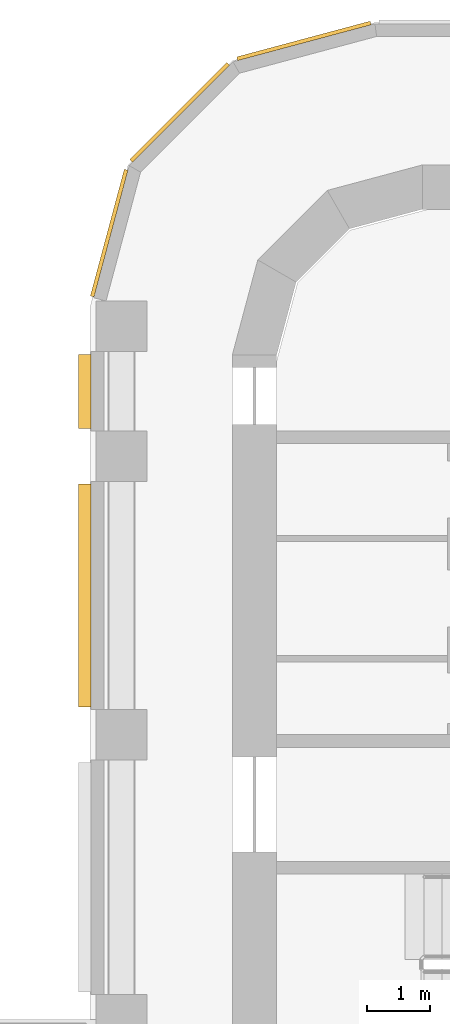
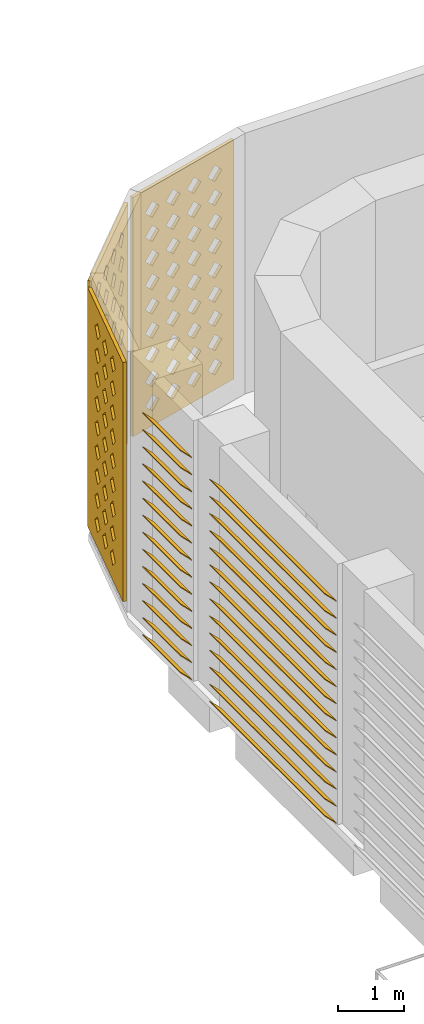
# One storey, part 17 of 21: 3 coverings, 2 shading devices.
"""IFC4 building model written with IfcOpenShell, lengths in metres."""

import ifcopenshell
import ifcopenshell.guid

model = None  # the IFC model being written
_history = None  # IfcOwnerHistory: only IFC2X3 demands one
_inside = {}  # id of a spatial element -> (the spatial element, [elements in it])
_under = {}  # id of a project, library or spatial element -> (it, [spatial elements below it])
_declared = {}  # id of a project -> (the project, [libraries it declares])
_typed = {}  # id of a type object -> (the type object, [elements of that type])
_made_of = {}  # id of a material, layer set ... -> (it, [elements and type objects made of it])


def new_model(schema):
    """Start an empty IFC model of exactly this schema.

    Asked for "IFC4X3", IfcOpenShell would pick the latest addendum, in which some entities
    have other attributes; the version numbers below select the first issue.
    IFC2X3 requires an IfcOwnerHistory on every rooted entity: one is made here for all.
    """
    global model, _history
    if schema == "IFC4X3":
        model = ifcopenshell.file(schema_version=(4, 3, 0, 0))
    else:
        model = ifcopenshell.file(schema=schema)
    _inside.clear()
    _under.clear()
    _declared.clear()
    _typed.clear()
    _made_of.clear()
    _history = None
    if model.schema == "IFC2X3":
        org = make("IfcOrganization", Name="unknown")
        user = make(
            "IfcPersonAndOrganization",
            ThePerson=make("IfcPerson", FamilyName="unknown"),
            TheOrganization=org,
        )
        app = make(
            "IfcApplication",
            ApplicationDeveloper=org,
            Version="unknown",
            ApplicationFullName="unknown",
            ApplicationIdentifier="unknown",
        )
        _history = make(
            "IfcOwnerHistory",
            OwningUser=user,
            OwningApplication=app,
            ChangeAction="ADDED",
            CreationDate=0,
        )
    return model


def make(cls, **values):
    """One entity of the class cls with the attributes given. An attribute that is None is left unset."""
    return model.create_entity(
        cls, **{name: value for name, value in values.items() if value is not None}
    )


def rooted(cls, **values):
    """An entity with a GlobalId (a new one), such as an element, a storey or a relation."""
    return make(cls, GlobalId=ifcopenshell.guid.new(), OwnerHistory=_history, **values)


def si_unit(unit_type, name, prefix=None):
    """IfcSIUnit, for example si_unit("LENGTHUNIT", "METRE", prefix="MILLI")."""
    return make("IfcSIUnit", UnitType=unit_type, Prefix=prefix, Name=name)


def assignment(units):
    """IfcUnitAssignment: the units of a project."""
    return None if units is None else make("IfcUnitAssignment", Units=units)


def point(xyz):
    """IfcCartesianPoint."""
    return None if xyz is None else make("IfcCartesianPoint", Coordinates=xyz)


def direction(xyz):
    """IfcDirection."""
    return None if xyz is None else make("IfcDirection", DirectionRatios=xyz)


def frame(location, z_axis=None, x_axis=None):
    """IfcAxis2Placement3D, a coordinate frame: its origin and axes. An axis left out is left unset."""
    return make(
        "IfcAxis2Placement3D",
        Location=point(location),
        Axis=direction(z_axis),
        RefDirection=direction(x_axis),
    )


def origin():
    """The frame at (0, 0, 0) with its axes left unset."""
    return frame((0.0, 0.0, 0.0))


def place(relative_to, where):
    """IfcLocalPlacement: puts the frame where relative to a parent placement (None: the world)."""
    return make(
        "IfcLocalPlacement", PlacementRelTo=relative_to, RelativePlacement=where
    )


def context(
    kind, dimensions, precision=None, world=None, true_north=None, identifier=None
):
    """IfcGeometricRepresentationContext, for example the 3D "Model" context."""
    return make(
        "IfcGeometricRepresentationContext",
        ContextIdentifier=identifier,
        ContextType=kind,
        CoordinateSpaceDimension=dimensions,
        Precision=precision,
        WorldCoordinateSystem=world,
        TrueNorth=true_north,
    )


def subcontext(parent, identifier, kind, view, scale=None):
    """IfcGeometricRepresentationSubContext, for example "Body" below "Model"."""
    return make(
        "IfcGeometricRepresentationSubContext",
        ContextIdentifier=identifier,
        ContextType=kind,
        ParentContext=parent,
        TargetScale=scale,
        TargetView=view,
    )


def project(units=None, contexts=None):
    """IfcProject with its units and contexts."""
    return rooted(
        "IfcProject",
        Name="project",
        RepresentationContexts=contexts,
        UnitsInContext=assignment(units),
    )


def spatial(cls, under=None, at=None, **own):
    """A site, building, storey or space (cls), placed at a placement, below another one or the project."""
    s = rooted(cls, ObjectPlacement=at, **own)
    if under is not None:
        _under.setdefault(under.id(), (under, []))[1].append(s)
    return s


def polyline(points):
    """IfcPolyline through the points."""
    return make("IfcPolyline", Points=[point(p) for p in points])


def outline(outer, holes=None, kind="AREA"):
    """IfcArbitraryClosedProfileDef: a profile drawn as a closed curve; with holes, ...WithVoids."""
    if holes is None:
        return make("IfcArbitraryClosedProfileDef", ProfileType=kind, OuterCurve=outer)
    return make(
        "IfcArbitraryProfileDefWithVoids",
        ProfileType=kind,
        OuterCurve=outer,
        InnerCurves=holes,
    )


def extrude(swept, where, along, depth):
    """IfcExtrudedAreaSolid: the profile swept, set in the frame where, extruded along a direction by depth."""
    return make(
        "IfcExtrudedAreaSolid",
        SweptArea=swept,
        Position=where,
        ExtrudedDirection=direction(along),
        Depth=depth,
    )


def shape(context_of_items, identifier, shape_type, items):
    """IfcShapeRepresentation: the items that make up one representation, for example the "Body"."""
    return make(
        "IfcShapeRepresentation",
        ContextOfItems=context_of_items,
        RepresentationIdentifier=identifier,
        RepresentationType=shape_type,
        Items=items,
    )


def source(mapping_origin, context_of_items, identifier, shape_type, items):
    """IfcRepresentationMap: a shape defined once, which mapped items show again and again."""
    return make(
        "IfcRepresentationMap",
        MappingOrigin=mapping_origin,
        MappedRepresentation=shape(context_of_items, identifier, shape_type, items),
    )


def transform(
    local_origin,
    x_axis=None,
    y_axis=None,
    z_axis=None,
    scale=None,
    scale2=None,
    scale3=None,
    uniform=True,
):
    """IfcCartesianTransformationOperator3D, or its non-uniform kind. x_axis, y_axis, z_axis: its Axis1, 2, 3."""
    if uniform:
        return make(
            "IfcCartesianTransformationOperator3D",
            Axis1=direction(x_axis),
            Axis2=direction(y_axis),
            LocalOrigin=point(local_origin),
            Scale=scale,
            Axis3=direction(z_axis),
        )
    return make(
        "IfcCartesianTransformationOperator3DnonUniform",
        Axis1=direction(x_axis),
        Axis2=direction(y_axis),
        LocalOrigin=point(local_origin),
        Scale=scale,
        Axis3=direction(z_axis),
        Scale2=scale2,
        Scale3=scale3,
    )


def mapped(mapping_source, mapping_target):
    """IfcMappedItem: shows the shape of a source again, moved by a transform."""
    return make(
        "IfcMappedItem", MappingSource=mapping_source, MappingTarget=mapping_target
    )


def material(Name=None, Category=None):
    """IfcMaterial."""
    return make("IfcMaterial", Name=Name, Category=Category)


def layer(
    of_material, thickness, ventilated=None, Name=None, Category=None, Priority=None
):
    """IfcMaterialLayer: one layer of a wall or slab, of a material (None: an air gap)."""
    return make(
        "IfcMaterialLayer",
        Material=of_material,
        LayerThickness=thickness,
        IsVentilated=ventilated,
        Name=Name,
        Category=Category,
        Priority=Priority,
    )


def layer_set(layers, Name=None):
    """IfcMaterialLayerSet."""
    return make("IfcMaterialLayerSet", MaterialLayers=layers, LayerSetName=Name)


def made_of(thing, what):
    """Note that an element or type object is made of a material, layer set ...; save() writes the relation."""
    if what is not None:
        _made_of.setdefault(what.id(), (what, []))[1].append(thing)
    return thing


def type_object(cls, material=None, **own):
    """A type object (cls), such as IfcWallType, which elements share."""
    return made_of(rooted(cls, **own), material)


def element(
    cls,
    number,
    at=None,
    inside=None,
    cuts=None,
    type_object=None,
    material=None,
    context=None,
    identifier="Body",
    shape_type=None,
    held_by="IfcProductDefinitionShape",
    body=None,
    shapes=None,
    **own,
):
    """One element of the class cls, such as IfcWall. Its Tag is "e" and its number.

    at: its placement. inside: the storey or other place that contains it. cuts: it is an
    opening in that element (IfcRelVoidsElement). A single representation is given by context,
    identifier, shape_type and body (its items); several are given by shapes. held_by: the class
    of the entity that holds the representations. save() writes the other relations.
    """
    e = rooted(cls, Tag="e%d" % number, ObjectPlacement=at, **own)
    if body is not None:
        shapes = [shape(context, identifier, shape_type, body)]
    if shapes is not None:
        e.Representation = make(held_by, Representations=shapes)
    if inside is not None:
        _inside.setdefault(inside.id(), (inside, []))[1].append(e)
    if cuts is not None:
        rooted(
            "IfcRelVoidsElement", RelatingBuildingElement=cuts, RelatedOpeningElement=e
        )
    if type_object is not None:
        _typed.setdefault(type_object.id(), (type_object, []))[1].append(e)
    return made_of(e, material)


def aggregate(whole, parts):
    """IfcRelAggregates: a whole, such as a stair, and the parts it consists of."""
    return rooted("IfcRelAggregates", RelatingObject=whole, RelatedObjects=parts)


def save(model, path):
    """Write the relations noted so far, then the file.

    IfcRelAggregates (storeys below a building ...), IfcRelContainedInSpatialStructure (elements
    in a storey), IfcRelDefinesByType, IfcRelAssociatesMaterial and IfcRelDeclares: one each for
    every whole, place, type object, material and project.
    """
    for whole, parts in _under.values():
        aggregate(whole, parts)
    for where, things in _inside.values():
        rooted(
            "IfcRelContainedInSpatialStructure",
            RelatedElements=things,
            RelatingStructure=where,
        )
    for kind, things in _typed.values():
        rooted("IfcRelDefinesByType", RelatedObjects=things, RelatingType=kind)
    for what, things in _made_of.values():
        rooted("IfcRelAssociatesMaterial", RelatedObjects=things, RelatingMaterial=what)
    for by, libraries in _declared.values():
        rooted("IfcRelDeclares", RelatingContext=by, RelatedDefinitions=libraries)
    model.write(path)


model = new_model("IFC4")

# Units and contexts
model_context = context("Model", 3, precision=1e-05, world=origin(), true_north=direction((0.0, 1.0)))
body_context = subcontext(model_context, "Body", "Model", "MODEL_VIEW")
ifc_project = project(units=[si_unit("LENGTHUNIT", "METRE"), si_unit("AREAUNIT", "SQUARE_METRE"), si_unit("VOLUMEUNIT", "CUBIC_METRE"), si_unit("PLANEANGLEUNIT", "RADIAN"), si_unit("MASSUNIT", "GRAM", prefix="KILO")], contexts=[model_context])

# Site, building, storey
site_placement = place(None, origin())
site = spatial("IfcSite", under=ifc_project, at=site_placement, CompositionType="ELEMENT")
building_placement = place(site_placement, origin())
building = spatial("IfcBuilding", under=site, at=building_placement, Name="Zarbagh Exchange Tower", CompositionType="ELEMENT")
storey_placement = place(building_placement, frame((0.0, 0.0, 190.39990234375)))
storey = spatial("IfcBuildingStorey", under=building, at=storey_placement, Name="L46", CompositionType="ELEMENT", Elevation=190.39990234375)

# Coverings
ifc_material_1 = material(Name="Glass-fibre reinforced concrete GFRC C50/60", Category="concrete")
ifc_layer = layer(ifc_material_1, 0.06005859375)
ifc_layer_set = layer_set([ifc_layer], Name="SCREEN jali panel, GFRC")
covering_type = type_object("IfcCoveringType", Name="SCREEN jali panel, GFRC", PredefinedType="CLADDING", material=ifc_layer_set)
shared_shape_1 = source(origin(), body_context, "Body", "SweptSolid", [
    extrude(outline(polyline([(0.0, 0.0), (2.1650390625, 0.0), (2.1650390625, 4.449951171875), (0.0, 4.449951171875), (0.0, 0.0)]), holes=[polyline([(0.257568359375, 0.425048828125), (0.407470703125, 0.27490234375), (0.5576171875, 0.425048828125), (0.407470703125, 0.574951171875), (0.257568359375, 0.425048828125)]), polyline([(0.257568359375, 0.875), (0.407470703125, 0.72509765625), (0.5576171875, 0.875), (0.407470703125, 1.02490234375), (0.257568359375, 0.875)]), polyline([(0.257568359375, 1.324951171875), (0.407470703125, 1.175048828125), (0.5576171875, 1.324951171875), (0.407470703125, 1.47509765625), (0.257568359375, 1.324951171875)]), polyline([(0.257568359375, 1.77490234375), (0.407470703125, 1.625), (0.5576171875, 1.77490234375), (0.407470703125, 1.925048828125), (0.257568359375, 1.77490234375)]), polyline([(0.257568359375, 2.22509765625), (0.407470703125, 2.074951171875), (0.5576171875, 2.22509765625), (0.407470703125, 2.375), (0.257568359375, 2.22509765625)]), polyline([(0.257568359375, 2.675048828125), (0.407470703125, 2.52490234375), (0.5576171875, 2.675048828125), (0.407470703125, 2.824951171875), (0.257568359375, 2.675048828125)]), polyline([(0.257568359375, 3.125), (0.407470703125, 2.97509765625), (0.5576171875, 3.125), (0.407470703125, 3.27490234375), (0.257568359375, 3.125)]), polyline([(0.257568359375, 3.574951171875), (0.407470703125, 3.425048828125), (0.5576171875, 3.574951171875), (0.407470703125, 3.72509765625), (0.257568359375, 3.574951171875)]), polyline([(0.257568359375, 4.02490234375), (0.407470703125, 3.875), (0.5576171875, 4.02490234375), (0.407470703125, 4.175048828125), (0.257568359375, 4.02490234375)]), polyline([(0.70751953125, 0.425048828125), (0.857421875, 0.27490234375), (1.007568359375, 0.425048828125), (0.857421875, 0.574951171875), (0.70751953125, 0.425048828125)]), polyline([(0.70751953125, 0.875), (0.857421875, 0.72509765625), (1.007568359375, 0.875), (0.857421875, 1.02490234375), (0.70751953125, 0.875)]), polyline([(0.70751953125, 1.324951171875), (0.857421875, 1.175048828125), (1.007568359375, 1.324951171875), (0.857421875, 1.47509765625), (0.70751953125, 1.324951171875)]), polyline([(0.70751953125, 1.77490234375), (0.857421875, 1.625), (1.007568359375, 1.77490234375), (0.857421875, 1.925048828125), (0.70751953125, 1.77490234375)]), polyline([(0.70751953125, 2.22509765625), (0.857421875, 2.074951171875), (1.007568359375, 2.22509765625), (0.857421875, 2.375), (0.70751953125, 2.22509765625)]), polyline([(0.70751953125, 2.675048828125), (0.857421875, 2.52490234375), (1.007568359375, 2.675048828125), (0.857421875, 2.824951171875), (0.70751953125, 2.675048828125)]), polyline([(0.70751953125, 3.125), (0.857421875, 2.97509765625), (1.007568359375, 3.125), (0.857421875, 3.27490234375), (0.70751953125, 3.125)]), polyline([(0.70751953125, 3.574951171875), (0.857421875, 3.425048828125), (1.007568359375, 3.574951171875), (0.857421875, 3.72509765625), (0.70751953125, 3.574951171875)]), polyline([(0.70751953125, 4.02490234375), (0.857421875, 3.875), (1.007568359375, 4.02490234375), (0.857421875, 4.175048828125), (0.70751953125, 4.02490234375)]), polyline([(1.157470703125, 0.425048828125), (1.3076171875, 0.27490234375), (1.45751953125, 0.425048828125), (1.3076171875, 0.574951171875), (1.157470703125, 0.425048828125)]), polyline([(1.157470703125, 0.875), (1.3076171875, 0.72509765625), (1.45751953125, 0.875), (1.3076171875, 1.02490234375), (1.157470703125, 0.875)]), polyline([(1.157470703125, 1.324951171875), (1.3076171875, 1.175048828125), (1.45751953125, 1.324951171875), (1.3076171875, 1.47509765625), (1.157470703125, 1.324951171875)]), polyline([(1.157470703125, 1.77490234375), (1.3076171875, 1.625), (1.45751953125, 1.77490234375), (1.3076171875, 1.925048828125), (1.157470703125, 1.77490234375)]), polyline([(1.157470703125, 2.22509765625), (1.3076171875, 2.074951171875), (1.45751953125, 2.22509765625), (1.3076171875, 2.375), (1.157470703125, 2.22509765625)]), polyline([(1.157470703125, 2.675048828125), (1.3076171875, 2.52490234375), (1.45751953125, 2.675048828125), (1.3076171875, 2.824951171875), (1.157470703125, 2.675048828125)]), polyline([(1.157470703125, 3.125), (1.3076171875, 2.97509765625), (1.45751953125, 3.125), (1.3076171875, 3.27490234375), (1.157470703125, 3.125)]), polyline([(1.157470703125, 3.574951171875), (1.3076171875, 3.425048828125), (1.45751953125, 3.574951171875), (1.3076171875, 3.72509765625), (1.157470703125, 3.574951171875)]), polyline([(1.157470703125, 4.02490234375), (1.3076171875, 3.875), (1.45751953125, 4.02490234375), (1.3076171875, 4.175048828125), (1.157470703125, 4.02490234375)]), polyline([(1.607421875, 0.425048828125), (1.757568359375, 0.27490234375), (1.907470703125, 0.425048828125), (1.757568359375, 0.574951171875), (1.607421875, 0.425048828125)]), polyline([(1.607421875, 0.875), (1.757568359375, 0.72509765625), (1.907470703125, 0.875), (1.757568359375, 1.02490234375), (1.607421875, 0.875)]), polyline([(1.607421875, 1.324951171875), (1.757568359375, 1.175048828125), (1.907470703125, 1.324951171875), (1.757568359375, 1.47509765625), (1.607421875, 1.324951171875)]), polyline([(1.607421875, 1.77490234375), (1.757568359375, 1.625), (1.907470703125, 1.77490234375), (1.757568359375, 1.925048828125), (1.607421875, 1.77490234375)]), polyline([(1.607421875, 2.22509765625), (1.757568359375, 2.074951171875), (1.907470703125, 2.22509765625), (1.757568359375, 2.375), (1.607421875, 2.22509765625)]), polyline([(1.607421875, 2.675048828125), (1.757568359375, 2.52490234375), (1.907470703125, 2.675048828125), (1.757568359375, 2.824951171875), (1.607421875, 2.675048828125)]), polyline([(1.607421875, 3.125), (1.757568359375, 2.97509765625), (1.907470703125, 3.125), (1.757568359375, 3.27490234375), (1.607421875, 3.125)]), polyline([(1.607421875, 3.574951171875), (1.757568359375, 3.425048828125), (1.907470703125, 3.574951171875), (1.757568359375, 3.72509765625), (1.607421875, 3.574951171875)]), polyline([(1.607421875, 4.02490234375), (1.757568359375, 3.875), (1.907470703125, 4.02490234375), (1.757568359375, 4.175048828125), (1.607421875, 4.02490234375)])]), origin(), (0.0, 0.0, 1.0), 0.06005859375),
])
placement = place(storey_placement, origin())
element("IfcCovering", 1, at=placement, inside=storey, type_object=covering_type, Name="JS53 jali screen", PredefinedType="CLADDING", context=body_context, shape_type="MappedRepresentation", body=[
    mapped(shared_shape_1, transform((-4.5439453125, 30.824951171875, 0.2001953125), x_axis=(-0.707106781187, -0.707106781187, 0.0), y_axis=(0.0, 0.0, 1.0), z_axis=(-0.707106781187, 0.707106781187, 0.0))),
])
shared_shape_2 = source(origin(), body_context, "Body", "SweptSolid", [
    extrude(outline(polyline([(0.0, 0.0), (2.181396484375, 0.0), (2.181396484375, 4.449951171875), (0.0, 4.449951171875), (0.0, 0.0)]), holes=[polyline([(0.265625, 0.425048828125), (0.415771484375, 0.27490234375), (0.565673828125, 0.425048828125), (0.415771484375, 0.574951171875), (0.265625, 0.425048828125)]), polyline([(0.265625, 0.875), (0.415771484375, 0.72509765625), (0.565673828125, 0.875), (0.415771484375, 1.02490234375), (0.265625, 0.875)]), polyline([(0.265625, 1.324951171875), (0.415771484375, 1.175048828125), (0.565673828125, 1.324951171875), (0.415771484375, 1.47509765625), (0.265625, 1.324951171875)]), polyline([(0.265625, 1.77490234375), (0.415771484375, 1.625), (0.565673828125, 1.77490234375), (0.415771484375, 1.925048828125), (0.265625, 1.77490234375)]), polyline([(0.265625, 2.22509765625), (0.415771484375, 2.074951171875), (0.565673828125, 2.22509765625), (0.415771484375, 2.375), (0.265625, 2.22509765625)]), polyline([(0.265625, 2.675048828125), (0.415771484375, 2.52490234375), (0.565673828125, 2.675048828125), (0.415771484375, 2.824951171875), (0.265625, 2.675048828125)]), polyline([(0.265625, 3.125), (0.415771484375, 2.97509765625), (0.565673828125, 3.125), (0.415771484375, 3.27490234375), (0.265625, 3.125)]), polyline([(0.265625, 3.574951171875), (0.415771484375, 3.425048828125), (0.565673828125, 3.574951171875), (0.415771484375, 3.72509765625), (0.265625, 3.574951171875)]), polyline([(0.265625, 4.02490234375), (0.415771484375, 3.875), (0.565673828125, 4.02490234375), (0.415771484375, 4.175048828125), (0.265625, 4.02490234375)]), polyline([(0.7158203125, 0.425048828125), (0.86572265625, 0.27490234375), (1.015625, 0.425048828125), (0.86572265625, 0.574951171875), (0.7158203125, 0.425048828125)]), polyline([(0.7158203125, 0.875), (0.86572265625, 0.72509765625), (1.015625, 0.875), (0.86572265625, 1.02490234375), (0.7158203125, 0.875)]), polyline([(0.7158203125, 1.324951171875), (0.86572265625, 1.175048828125), (1.015625, 1.324951171875), (0.86572265625, 1.47509765625), (0.7158203125, 1.324951171875)]), polyline([(0.7158203125, 1.77490234375), (0.86572265625, 1.625), (1.015625, 1.77490234375), (0.86572265625, 1.925048828125), (0.7158203125, 1.77490234375)]), polyline([(0.7158203125, 2.22509765625), (0.86572265625, 2.074951171875), (1.015625, 2.22509765625), (0.86572265625, 2.375), (0.7158203125, 2.22509765625)]), polyline([(0.7158203125, 2.675048828125), (0.86572265625, 2.52490234375), (1.015625, 2.675048828125), (0.86572265625, 2.824951171875), (0.7158203125, 2.675048828125)]), polyline([(0.7158203125, 3.125), (0.86572265625, 2.97509765625), (1.015625, 3.125), (0.86572265625, 3.27490234375), (0.7158203125, 3.125)]), polyline([(0.7158203125, 3.574951171875), (0.86572265625, 3.425048828125), (1.015625, 3.574951171875), (0.86572265625, 3.72509765625), (0.7158203125, 3.574951171875)]), polyline([(0.7158203125, 4.02490234375), (0.86572265625, 3.875), (1.015625, 4.02490234375), (0.86572265625, 4.175048828125), (0.7158203125, 4.02490234375)]), polyline([(1.165771484375, 0.425048828125), (1.315673828125, 0.27490234375), (1.4658203125, 0.425048828125), (1.315673828125, 0.574951171875), (1.165771484375, 0.425048828125)]), polyline([(1.165771484375, 0.875), (1.315673828125, 0.72509765625), (1.4658203125, 0.875), (1.315673828125, 1.02490234375), (1.165771484375, 0.875)]), polyline([(1.165771484375, 1.324951171875), (1.315673828125, 1.175048828125), (1.4658203125, 1.324951171875), (1.315673828125, 1.47509765625), (1.165771484375, 1.324951171875)]), polyline([(1.165771484375, 1.77490234375), (1.315673828125, 1.625), (1.4658203125, 1.77490234375), (1.315673828125, 1.925048828125), (1.165771484375, 1.77490234375)]), polyline([(1.165771484375, 2.22509765625), (1.315673828125, 2.074951171875), (1.4658203125, 2.22509765625), (1.315673828125, 2.375), (1.165771484375, 2.22509765625)]), polyline([(1.165771484375, 2.675048828125), (1.315673828125, 2.52490234375), (1.4658203125, 2.675048828125), (1.315673828125, 2.824951171875), (1.165771484375, 2.675048828125)]), polyline([(1.165771484375, 3.125), (1.315673828125, 2.97509765625), (1.4658203125, 3.125), (1.315673828125, 3.27490234375), (1.165771484375, 3.125)]), polyline([(1.165771484375, 3.574951171875), (1.315673828125, 3.425048828125), (1.4658203125, 3.574951171875), (1.315673828125, 3.72509765625), (1.165771484375, 3.574951171875)]), polyline([(1.165771484375, 4.02490234375), (1.315673828125, 3.875), (1.4658203125, 4.02490234375), (1.315673828125, 4.175048828125), (1.165771484375, 4.02490234375)]), polyline([(1.61572265625, 0.425048828125), (1.765625, 0.27490234375), (1.915771484375, 0.425048828125), (1.765625, 0.574951171875), (1.61572265625, 0.425048828125)]), polyline([(1.61572265625, 0.875), (1.765625, 0.72509765625), (1.915771484375, 0.875), (1.765625, 1.02490234375), (1.61572265625, 0.875)]), polyline([(1.61572265625, 1.324951171875), (1.765625, 1.175048828125), (1.915771484375, 1.324951171875), (1.765625, 1.47509765625), (1.61572265625, 1.324951171875)]), polyline([(1.61572265625, 1.77490234375), (1.765625, 1.625), (1.915771484375, 1.77490234375), (1.765625, 1.925048828125), (1.61572265625, 1.77490234375)]), polyline([(1.61572265625, 2.22509765625), (1.765625, 2.074951171875), (1.915771484375, 2.22509765625), (1.765625, 2.375), (1.61572265625, 2.22509765625)]), polyline([(1.61572265625, 2.675048828125), (1.765625, 2.52490234375), (1.915771484375, 2.675048828125), (1.765625, 2.824951171875), (1.61572265625, 2.675048828125)]), polyline([(1.61572265625, 3.125), (1.765625, 2.97509765625), (1.915771484375, 3.125), (1.765625, 3.27490234375), (1.61572265625, 3.125)]), polyline([(1.61572265625, 3.574951171875), (1.765625, 3.425048828125), (1.915771484375, 3.574951171875), (1.765625, 3.72509765625), (1.61572265625, 3.574951171875)]), polyline([(1.61572265625, 4.02490234375), (1.765625, 3.875), (1.915771484375, 4.02490234375), (1.765625, 4.175048828125), (1.61572265625, 4.02490234375)])]), origin(), (0.0, 0.0, 1.0), 0.06005859375),
])
element("IfcCovering", 2, at=placement, inside=storey, type_object=covering_type, Name="JS52 jali screen", PredefinedType="CLADDING", context=body_context, shape_type="MappedRepresentation", body=[
    mapped(shared_shape_2, transform((-2.308349609375, 31.463623046875, 0.2001953125), x_axis=(-0.965924215207, -0.258825057666, 0.0), y_axis=(0.0, 0.0, 1.0), z_axis=(-0.258825057666, 0.965924215207, 0.0))),
])

# Shading devices
ifc_material_2 = material(Name="Anodised aluminium", Category="aluminium")
shading_device_type = type_object("IfcShadingDeviceType", Name="LOUVRE plant louvre, fixed blades", PredefinedType="USERDEFINED", material=ifc_material_2)
shared_shape_3 = source(origin(), body_context, "Body", "SweptSolid", [
    extrude(outline(polyline([(0.0, 0.199951171875), (0.199951171875, 0.0), (0.199951171875, -0.02001953125), (0.0, 0.179931640625), (0.0, 0.199951171875)])), origin(), (0.0, 0.0, 1.0), 1.169921875),
])
element("IfcShadingDevice", 3, at=placement, inside=storey, type_object=shading_device_type, Name="LV12 plant louvre", ObjectType="LOUVRE", PredefinedType="USERDEFINED", context=body_context, shape_type="MappedRepresentation", body=[
    mapped(shared_shape_3, transform((-6.72998046875, 26.260009765625, 0.2001953125), x_axis=(-1.0, 0.0, 0.0), y_axis=(0.0, 0.0, -1.0), z_axis=(0.0, -1.0, 0.0))),
    mapped(shared_shape_3, transform((-6.72998046875, 26.260009765625, 0.51806640625), x_axis=(-1.0, 0.0, 0.0), y_axis=(0.0, 0.0, -1.0), z_axis=(0.0, -1.0, 0.0))),
    mapped(shared_shape_3, transform((-6.72998046875, 26.260009765625, 0.835693359375), x_axis=(-1.0, 0.0, 0.0), y_axis=(0.0, 0.0, -1.0), z_axis=(0.0, -1.0, 0.0))),
    mapped(shared_shape_3, transform((-6.72998046875, 26.260009765625, 1.153564453125), x_axis=(-1.0, 0.0, 0.0), y_axis=(0.0, 0.0, -1.0), z_axis=(0.0, -1.0, 0.0))),
    mapped(shared_shape_3, transform((-6.72998046875, 26.260009765625, 1.471435546875), x_axis=(-1.0, 0.0, 0.0), y_axis=(0.0, 0.0, -1.0), z_axis=(0.0, -1.0, 0.0))),
    mapped(shared_shape_3, transform((-6.72998046875, 26.260009765625, 1.789306640625), x_axis=(-1.0, 0.0, 0.0), y_axis=(0.0, 0.0, -1.0), z_axis=(0.0, -1.0, 0.0))),
    mapped(shared_shape_3, transform((-6.72998046875, 26.260009765625, 2.107177734375), x_axis=(-1.0, 0.0, 0.0), y_axis=(0.0, 0.0, -1.0), z_axis=(0.0, -1.0, 0.0))),
    mapped(shared_shape_3, transform((-6.72998046875, 26.260009765625, 2.425048828125), x_axis=(-1.0, 0.0, 0.0), y_axis=(0.0, 0.0, -1.0), z_axis=(0.0, -1.0, 0.0))),
    mapped(shared_shape_3, transform((-6.72998046875, 26.260009765625, 2.742919921875), x_axis=(-1.0, 0.0, 0.0), y_axis=(0.0, 0.0, -1.0), z_axis=(0.0, -1.0, 0.0))),
    mapped(shared_shape_3, transform((-6.72998046875, 26.260009765625, 3.060791015625), x_axis=(-1.0, 0.0, 0.0), y_axis=(0.0, 0.0, -1.0), z_axis=(0.0, -1.0, 0.0))),
    mapped(shared_shape_3, transform((-6.72998046875, 26.260009765625, 3.378662109375), x_axis=(-1.0, 0.0, 0.0), y_axis=(0.0, 0.0, -1.0), z_axis=(0.0, -1.0, 0.0))),
    mapped(shared_shape_3, transform((-6.72998046875, 26.260009765625, 3.696533203125), x_axis=(-1.0, 0.0, 0.0), y_axis=(0.0, 0.0, -1.0), z_axis=(0.0, -1.0, 0.0))),
    mapped(shared_shape_3, transform((-6.72998046875, 26.260009765625, 4.014404296875), x_axis=(-1.0, 0.0, 0.0), y_axis=(0.0, 0.0, -1.0), z_axis=(0.0, -1.0, 0.0))),
    mapped(shared_shape_3, transform((-6.72998046875, 26.260009765625, 4.332275390625), x_axis=(-1.0, 0.0, 0.0), y_axis=(0.0, 0.0, -1.0), z_axis=(0.0, -1.0, 0.0))),
])
shared_shape_4 = source(origin(), body_context, "Body", "SweptSolid", [
    extrude(outline(polyline([(0.0, 0.199951171875), (0.199951171875, 0.0), (0.199951171875, -0.02001953125), (0.0, 0.179931640625), (0.0, 0.199951171875)])), origin(), (0.0, 0.0, 1.0), 3.52001953125),
])
element("IfcShadingDevice", 4, at=placement, inside=storey, type_object=shading_device_type, Name="LV12 plant louvre", ObjectType="LOUVRE", PredefinedType="USERDEFINED", context=body_context, shape_type="MappedRepresentation", body=[
    mapped(shared_shape_4, transform((-6.72998046875, 24.2099609375, 0.2001953125), x_axis=(-1.0, 0.0, 0.0), y_axis=(0.0, 0.0, -1.0), z_axis=(0.0, -1.0, 0.0))),
    mapped(shared_shape_4, transform((-6.72998046875, 24.2099609375, 0.51806640625), x_axis=(-1.0, 0.0, 0.0), y_axis=(0.0, 0.0, -1.0), z_axis=(0.0, -1.0, 0.0))),
    mapped(shared_shape_4, transform((-6.72998046875, 24.2099609375, 0.835693359375), x_axis=(-1.0, 0.0, 0.0), y_axis=(0.0, 0.0, -1.0), z_axis=(0.0, -1.0, 0.0))),
    mapped(shared_shape_4, transform((-6.72998046875, 24.2099609375, 1.153564453125), x_axis=(-1.0, 0.0, 0.0), y_axis=(0.0, 0.0, -1.0), z_axis=(0.0, -1.0, 0.0))),
    mapped(shared_shape_4, transform((-6.72998046875, 24.2099609375, 1.471435546875), x_axis=(-1.0, 0.0, 0.0), y_axis=(0.0, 0.0, -1.0), z_axis=(0.0, -1.0, 0.0))),
    mapped(shared_shape_4, transform((-6.72998046875, 24.2099609375, 1.789306640625), x_axis=(-1.0, 0.0, 0.0), y_axis=(0.0, 0.0, -1.0), z_axis=(0.0, -1.0, 0.0))),
    mapped(shared_shape_4, transform((-6.72998046875, 24.2099609375, 2.107177734375), x_axis=(-1.0, 0.0, 0.0), y_axis=(0.0, 0.0, -1.0), z_axis=(0.0, -1.0, 0.0))),
    mapped(shared_shape_4, transform((-6.72998046875, 24.2099609375, 2.425048828125), x_axis=(-1.0, 0.0, 0.0), y_axis=(0.0, 0.0, -1.0), z_axis=(0.0, -1.0, 0.0))),
    mapped(shared_shape_4, transform((-6.72998046875, 24.2099609375, 2.742919921875), x_axis=(-1.0, 0.0, 0.0), y_axis=(0.0, 0.0, -1.0), z_axis=(0.0, -1.0, 0.0))),
    mapped(shared_shape_4, transform((-6.72998046875, 24.2099609375, 3.060791015625), x_axis=(-1.0, 0.0, 0.0), y_axis=(0.0, 0.0, -1.0), z_axis=(0.0, -1.0, 0.0))),
    mapped(shared_shape_4, transform((-6.72998046875, 24.2099609375, 3.378662109375), x_axis=(-1.0, 0.0, 0.0), y_axis=(0.0, 0.0, -1.0), z_axis=(0.0, -1.0, 0.0))),
    mapped(shared_shape_4, transform((-6.72998046875, 24.2099609375, 3.696533203125), x_axis=(-1.0, 0.0, 0.0), y_axis=(0.0, 0.0, -1.0), z_axis=(0.0, -1.0, 0.0))),
    mapped(shared_shape_4, transform((-6.72998046875, 24.2099609375, 4.014404296875), x_axis=(-1.0, 0.0, 0.0), y_axis=(0.0, 0.0, -1.0), z_axis=(0.0, -1.0, 0.0))),
    mapped(shared_shape_4, transform((-6.72998046875, 24.2099609375, 4.332275390625), x_axis=(-1.0, 0.0, 0.0), y_axis=(0.0, 0.0, -1.0), z_axis=(0.0, -1.0, 0.0))),
])

# Covering
shared_shape_5 = source(origin(), body_context, "Body", "SweptSolid", [
    extrude(outline(polyline([(0.0, 0.0), (2.070068359375, 0.0), (2.070068359375, 4.449951171875), (0.0, 4.449951171875), (0.0, 0.0)]), holes=[polyline([(0.43505859375, 0.425048828125), (0.5849609375, 0.27490234375), (0.735107421875, 0.425048828125), (0.5849609375, 0.574951171875), (0.43505859375, 0.425048828125)]), polyline([(0.43505859375, 0.875), (0.5849609375, 0.72509765625), (0.735107421875, 0.875), (0.5849609375, 1.02490234375), (0.43505859375, 0.875)]), polyline([(0.43505859375, 1.324951171875), (0.5849609375, 1.175048828125), (0.735107421875, 1.324951171875), (0.5849609375, 1.47509765625), (0.43505859375, 1.324951171875)]), polyline([(0.43505859375, 1.77490234375), (0.5849609375, 1.625), (0.735107421875, 1.77490234375), (0.5849609375, 1.925048828125), (0.43505859375, 1.77490234375)]), polyline([(0.43505859375, 2.22509765625), (0.5849609375, 2.074951171875), (0.735107421875, 2.22509765625), (0.5849609375, 2.375), (0.43505859375, 2.22509765625)]), polyline([(0.43505859375, 2.675048828125), (0.5849609375, 2.52490234375), (0.735107421875, 2.675048828125), (0.5849609375, 2.824951171875), (0.43505859375, 2.675048828125)]), polyline([(0.43505859375, 3.125), (0.5849609375, 2.97509765625), (0.735107421875, 3.125), (0.5849609375, 3.27490234375), (0.43505859375, 3.125)]), polyline([(0.43505859375, 3.574951171875), (0.5849609375, 3.425048828125), (0.735107421875, 3.574951171875), (0.5849609375, 3.72509765625), (0.43505859375, 3.574951171875)]), polyline([(0.43505859375, 4.02490234375), (0.5849609375, 3.875), (0.735107421875, 4.02490234375), (0.5849609375, 4.175048828125), (0.43505859375, 4.02490234375)]), polyline([(0.885009765625, 0.425048828125), (1.03515625, 0.27490234375), (1.18505859375, 0.425048828125), (1.03515625, 0.574951171875), (0.885009765625, 0.425048828125)]), polyline([(0.885009765625, 0.875), (1.03515625, 0.72509765625), (1.18505859375, 0.875), (1.03515625, 1.02490234375), (0.885009765625, 0.875)]), polyline([(0.885009765625, 1.324951171875), (1.03515625, 1.175048828125), (1.18505859375, 1.324951171875), (1.03515625, 1.47509765625), (0.885009765625, 1.324951171875)]), polyline([(0.885009765625, 1.77490234375), (1.03515625, 1.625), (1.18505859375, 1.77490234375), (1.03515625, 1.925048828125), (0.885009765625, 1.77490234375)]), polyline([(0.885009765625, 2.22509765625), (1.03515625, 2.074951171875), (1.18505859375, 2.22509765625), (1.03515625, 2.375), (0.885009765625, 2.22509765625)]), polyline([(0.885009765625, 2.675048828125), (1.03515625, 2.52490234375), (1.18505859375, 2.675048828125), (1.03515625, 2.824951171875), (0.885009765625, 2.675048828125)]), polyline([(0.885009765625, 3.125), (1.03515625, 2.97509765625), (1.18505859375, 3.125), (1.03515625, 3.27490234375), (0.885009765625, 3.125)]), polyline([(0.885009765625, 3.574951171875), (1.03515625, 3.425048828125), (1.18505859375, 3.574951171875), (1.03515625, 3.72509765625), (0.885009765625, 3.574951171875)]), polyline([(0.885009765625, 4.02490234375), (1.03515625, 3.875), (1.18505859375, 4.02490234375), (1.03515625, 4.175048828125), (0.885009765625, 4.02490234375)]), polyline([(1.3349609375, 0.425048828125), (1.485107421875, 0.27490234375), (1.635009765625, 0.425048828125), (1.485107421875, 0.574951171875), (1.3349609375, 0.425048828125)]), polyline([(1.3349609375, 0.875), (1.485107421875, 0.72509765625), (1.635009765625, 0.875), (1.485107421875, 1.02490234375), (1.3349609375, 0.875)]), polyline([(1.3349609375, 1.324951171875), (1.485107421875, 1.175048828125), (1.635009765625, 1.324951171875), (1.485107421875, 1.47509765625), (1.3349609375, 1.324951171875)]), polyline([(1.3349609375, 1.77490234375), (1.485107421875, 1.625), (1.635009765625, 1.77490234375), (1.485107421875, 1.925048828125), (1.3349609375, 1.77490234375)]), polyline([(1.3349609375, 2.22509765625), (1.485107421875, 2.074951171875), (1.635009765625, 2.22509765625), (1.485107421875, 2.375), (1.3349609375, 2.22509765625)]), polyline([(1.3349609375, 2.675048828125), (1.485107421875, 2.52490234375), (1.635009765625, 2.675048828125), (1.485107421875, 2.824951171875), (1.3349609375, 2.675048828125)]), polyline([(1.3349609375, 3.125), (1.485107421875, 2.97509765625), (1.635009765625, 3.125), (1.485107421875, 3.27490234375), (1.3349609375, 3.125)]), polyline([(1.3349609375, 3.574951171875), (1.485107421875, 3.425048828125), (1.635009765625, 3.574951171875), (1.485107421875, 3.72509765625), (1.3349609375, 3.574951171875)]), polyline([(1.3349609375, 4.02490234375), (1.485107421875, 3.875), (1.635009765625, 4.02490234375), (1.485107421875, 4.175048828125), (1.3349609375, 4.02490234375)])]), origin(), (0.0, 0.0, 1.0), 0.06005859375),
])
element("IfcCovering", 5, at=placement, inside=storey, type_object=covering_type, Name="JS54 jali screen", PredefinedType="CLADDING", context=body_context, shape_type="MappedRepresentation", body=[
    mapped(shared_shape_5, transform((-6.14892578125, 29.16552734375, 0.2001953125), x_axis=(-0.258825057666, -0.965924215207, 0.0), y_axis=(0.0, 0.0, 1.0), z_axis=(-0.965924215207, 0.258825057666, 0.0))),
])

save(model, "model.ifc")
